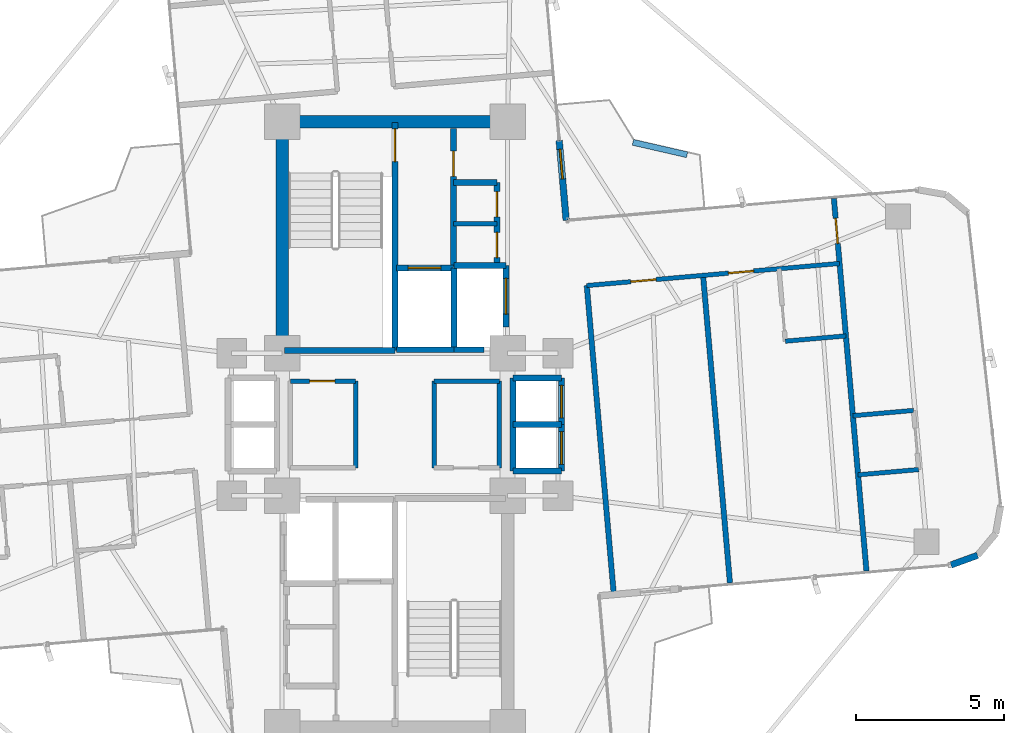
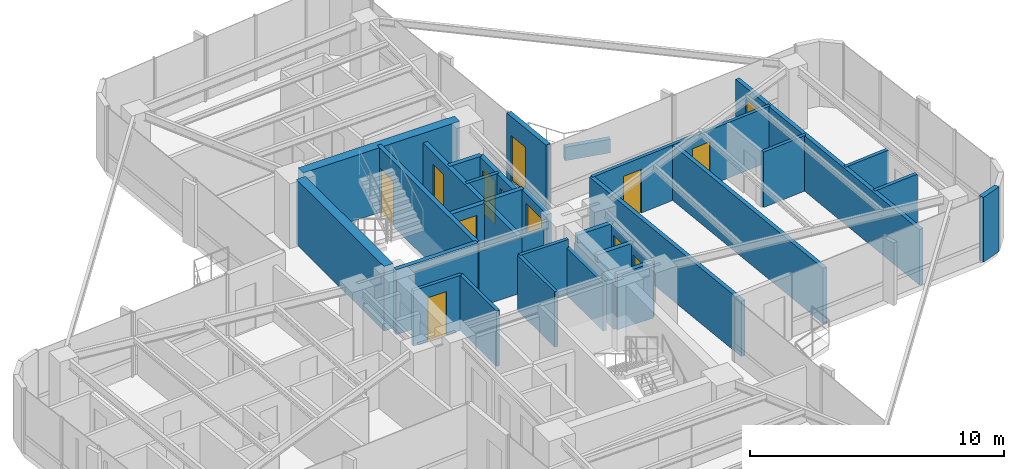
# One storey, part 22 of 24: 35 walls, 13 doors, 13 openings.
"""IFC4 building model written with IfcOpenShell, lengths in metres."""

from ifc_helpers import new_model, si_unit, direction, frame, frame_2d, origin, origin_2d, place, context, subcontext, project, spatial, rectangle, extrude, source, transform, mapped, material, layer, layer_set, type_object, element, fill, save


model = new_model("IFC4")

# Units and contexts
model_context = context("Model", 3, precision=1e-05, world=origin(), true_north=direction((0.0, 1.0)))
body_context = subcontext(model_context, "Body", "Model", "MODEL_VIEW")
ifc_project = project(units=[si_unit("LENGTHUNIT", "METRE"), si_unit("AREAUNIT", "SQUARE_METRE"), si_unit("VOLUMEUNIT", "CUBIC_METRE"), si_unit("PLANEANGLEUNIT", "RADIAN"), si_unit("MASSUNIT", "GRAM", prefix="KILO")], contexts=[model_context])

# Site, building, storey
site_placement = place(None, origin())
site = spatial("IfcSite", under=ifc_project, at=site_placement, CompositionType="ELEMENT")
building_placement = place(site_placement, origin())
building = spatial("IfcBuilding", under=site, at=building_placement, Name="Sahyath Konkavel Grand Hotel", CompositionType="ELEMENT")
storey_placement = place(building_placement, frame((0.0, 0.0, 153.949951171875)))
storey = spatial("IfcBuildingStorey", under=building, at=storey_placement, Name="L42", CompositionType="ELEMENT", Elevation=153.949951171875)

# Walls
ifc_material_1 = material(Name="Concrete C50/60", Category="concrete")
ifc_layer_1 = layer(ifc_material_1, 0.419921875)
ifc_layer_set_1 = layer_set([ifc_layer_1], Name="Concrete C50/60")
wall_type_1 = type_object("IfcWallType", Name="CWALL-420", PredefinedType="SHEAR", material=ifc_layer_set_1)
wall_1_placement = place(storey_placement, frame((-3.550048828125, 10.199951171875, 0.0), z_axis=(0.0, 0.0, 1.0), x_axis=(1.0, 0.0, 0.0)))
element("IfcWall", 1, at=wall_1_placement, inside=storey, type_object=wall_type_1, Name="L42 North Core Shear Wall N", PredefinedType="SHEAR", context=body_context, shape_type="SweptSolid", body=[
    extrude(rectangle(XDim=7.10009765625, YDim=0.419921875, at=frame_2d((3.550048828125, 0.0))), origin(), (0.0, 0.0, 1.0), 3.110107421875),
])
wall_2_placement = place(storey_placement, frame((-3.800048828125, 2.85009765625, 0.0), z_axis=(0.0, 0.0, 1.0), x_axis=(0.0, 1.0, 0.0)))
element("IfcWall", 2, at=wall_2_placement, inside=storey, type_object=wall_type_1, Name="L42 North Core Shear Wall W", PredefinedType="SHEAR", context=body_context, shape_type="SweptSolid", body=[
    extrude(rectangle(XDim=6.89990234375, YDim=0.419921875, at=frame_2d((3.449951171875, 0.0))), origin(), (0.0, 0.0, 1.0), 3.110107421875),
])
ifc_material_2 = material(Name="Warm Buff Sandstone Insulated Concrete C40/50", Category="masonry")
ifc_layer_2 = layer(ifc_material_2, 0.219970703125)
ifc_layer_set_2 = layer_set([ifc_layer_2], Name="Warm Buff Sandstone Insulated Concrete C40/50")
wall_type_2 = type_object("IfcWallType", Name="WLL-BALC-THRESH", PredefinedType="STANDARD", material=ifc_layer_set_2)
wall_3_placement = place(storey_placement, frame((18.73388671875, -4.735107421875, 0.0), z_axis=(0.0, 0.0, 1.0), x_axis=(0.939741306239, 0.34188635151, 0.0)))
element("IfcWall", 3, at=wall_3_placement, inside=storey, type_object=wall_type_2, Name="L42 Rounded Corner Sandstone Pier 1", PredefinedType="STANDARD", context=body_context, shape_type="SweptSolid", body=[
    extrude(rectangle(XDim=0.95751953125, YDim=0.219970703125, at=frame_2d((0.478759765625, 0.0))), origin(), (0.0, 0.0, 1.0), 3.110107421875),
])

# Wall, opening, door
wall_4_placement = place(storey_placement, frame((5.7724609375, 6.87939453125, 0.0), z_axis=(0.0, 0.0, 1.0), x_axis=(-0.087168071984, 0.996193619346, 0.0)))
wall_4 = element("IfcWall", 4, at=wall_4_placement, inside=storey, type_object=wall_type_2, Name="L42 Winter-Garden Threshold Wall 8", PredefinedType="STANDARD", context=body_context, shape_type="SweptSolid", body=[
    extrude(rectangle(XDim=2.699951171875, YDim=0.219970703125, at=frame_2d((1.35009765625, 0.0))), origin(), (0.0, 0.0, 1.0), 3.110107421875),
])
opening_1_placement = place(wall_4_placement, frame((1.39990234375, 0.0, 0.0)))
opening_1 = element("IfcOpeningElement", 5, at=opening_1_placement, cuts=wall_4, Name="Opening D-TR1", PredefinedType="OPENING", context=body_context, shape_type="SweptSolid", body=[
    extrude(rectangle(XDim=1.0, YDim=2.199951171875, at=frame_2d((0.5, 1.10009765625))), frame((0.0, 0.1201171875, 0.0), z_axis=(0.0, -1.0, 0.0), x_axis=(1.0, 0.0, 0.0)), (0.0, 0.0, 1.0), 0.239990234375),
])
ifc_material_3 = material(Name="Anodised Bronze Aluminium & Low-E Glazing", Category="aluminium")
door_type_1 = type_object("IfcDoorType", Name="DR-TERRACE-1000", OperationType="NOTDEFINED", PredefinedType="DOOR", material=ifc_material_3)
shared_shape_1 = source(origin(), body_context, "Body", "SweptSolid", [
    extrude(rectangle(XDim=1.0, YDim=0.050048828125, at=origin_2d()), origin(), (0.0, 0.0, 1.0), 2.199951171875),
])
door_1_placement = place(opening_1_placement, frame((0.5, 0.0, 0.0)))
door_1 = element("IfcDoor", 6, at=door_1_placement, inside=storey, type_object=door_type_1, Name="L42 Winter-Garden Terrace Door 8", OperationType="SINGLE_SWING_LEFT", OverallHeight=2.199951171875, OverallWidth=1.0, PredefinedType="DOOR", context=body_context, shape_type="MappedRepresentation", body=[
    mapped(shared_shape_1, transform((0.0, 0.0, 0.0), scale=1.0)),
])
fill(opening_1, door_1)

ifc_material_4 = material(Name="Concrete C40/50", Category="concrete")
ifc_layer_3 = layer(ifc_material_4, 0.199951171875)
ifc_layer_set_3 = layer_set([ifc_layer_3], Name="Concrete C40/50")
wall_type_3 = type_object("IfcWallType", Name="WLL-CORE-200", PredefinedType="SOLIDWALL", material=ifc_layer_set_3)
wall_5_placement = place(storey_placement, frame((0.0, 2.5, 0.0), z_axis=(0.0, 0.0, 1.0), x_axis=(0.0, 1.0, 0.0)))
wall_5 = element("IfcWall", 7, at=wall_5_placement, inside=storey, type_object=wall_type_3, Name="L42 Stair ST-1 Shaft Wall E", PredefinedType="SOLIDWALL", context=body_context, shape_type="SweptSolid", body=[
    extrude(rectangle(XDim=7.679931640625, YDim=0.199951171875, at=frame_2d((3.83984375, 0.0))), origin(), (0.0, 0.0, 1.0), 3.110107421875),
])
opening_2_placement = place(wall_5_placement, frame((6.360107421875, 0.0, 0.0)))
opening_2 = element("IfcOpeningElement", 8, at=opening_2_placement, cuts=wall_5, Name="Opening D-F12B", PredefinedType="OPENING", context=body_context, shape_type="SweptSolid", body=[
    extrude(rectangle(XDim=1.10009765625, YDim=2.14990234375, at=frame_2d((0.550048828125, 1.074951171875))), frame((0.0, 0.10986328125, 0.0), z_axis=(0.0, -1.0, 0.0), x_axis=(1.0, 0.0, 0.0)), (0.0, 0.0, 1.0), 0.219970703125),
])
ifc_material_5 = material(Name="Steel E350 Smokeproof Fire Door", Category="steel")
door_type_2 = type_object("IfcDoorType", Name="DR-FD120-1100", OperationType="NOTDEFINED", PredefinedType="DOOR", material=ifc_material_5)
shared_shape_2 = source(origin(), body_context, "Body", "SweptSolid", [
    extrude(rectangle(XDim=1.10009765625, YDim=0.050048828125, at=origin_2d()), origin(), (0.0, 0.0, 1.0), 2.14990234375),
])
door_2_placement = place(opening_2_placement, frame((0.550048828125, 0.0, 0.0)))
door_2 = element("IfcDoor", 9, at=door_2_placement, inside=storey, type_object=door_type_2, Name="L42 Stair ST-1 Fire Door", OperationType="SINGLE_SWING_RIGHT", OverallHeight=2.14990234375, OverallWidth=1.10009765625, PredefinedType="DOOR", context=body_context, shape_type="MappedRepresentation", body=[
    mapped(shared_shape_2, transform((0.0, 0.0, 0.0), scale=1.0)),
])
fill(opening_2, door_2)

# Wall
wall_6_placement = place(storey_placement, frame((-3.719970703125, 2.5, 0.0), z_axis=(0.0, 0.0, 1.0), x_axis=(1.0, 0.0, 0.0)))
element("IfcWall", 10, at=wall_6_placement, inside=storey, type_object=wall_type_3, Name="L42 Stair ST-1 Shaft Wall S", PredefinedType="SOLIDWALL", context=body_context, shape_type="SweptSolid", body=[
    extrude(rectangle(XDim=3.719970703125, YDim=0.199951171875, at=frame_2d((1.85986328125, 0.0))), origin(), (0.0, 0.0, 1.0), 3.110107421875),
])

# Wall, opening, door
wall_7_placement = place(storey_placement, frame((1.97998046875, 5.320068359375, 0.0), z_axis=(0.0, 0.0, 1.0), x_axis=(0.0, 1.0, 0.0)))
wall_7 = element("IfcWall", 11, at=wall_7_placement, inside=storey, type_object=wall_type_3, Name="L42 North Firefighting Lobby Wall E", PredefinedType="SOLIDWALL", context=body_context, shape_type="SweptSolid", body=[
    extrude(rectangle(XDim=4.659912109375, YDim=0.199951171875, at=frame_2d((2.330078125, 0.0))), origin(), (0.0, 0.0, 1.0), 2.66015625),
])
opening_3_placement = place(wall_7_placement, frame((3.0400390625, 0.0, 0.0)))
opening_3 = element("IfcOpeningElement", 12, at=opening_3_placement, cuts=wall_7, Name="Opening D-F12D", PredefinedType="OPENING", context=body_context, shape_type="SweptSolid", body=[
    extrude(rectangle(XDim=0.85009765625, YDim=2.10009765625, at=frame_2d((0.425048828125, 1.050048828125))), frame((0.0, 0.10986328125, 0.0), z_axis=(0.0, -1.0, 0.0), x_axis=(1.0, 0.0, 0.0)), (0.0, 0.0, 1.0), 0.219970703125),
])
ifc_material_6 = material(Name="Steel E350 Core Fire Door", Category="steel")
door_type_3 = type_object("IfcDoorType", Name="DR-FD120-850", OperationType="NOTDEFINED", PredefinedType="DOOR", material=ifc_material_6)
shared_shape_3 = source(origin(), body_context, "Body", "SweptSolid", [
    extrude(rectangle(XDim=0.85009765625, YDim=0.050048828125, at=origin_2d()), origin(), (0.0, 0.0, 1.0), 2.10009765625),
])
door_3_placement = place(opening_3_placement, frame((0.425048828125, 0.0, 0.0)))
door_3 = element("IfcDoor", 13, at=door_3_placement, inside=storey, type_object=door_type_3, Name="L42 North Firefighting Lobby Door", OperationType="SINGLE_SWING_RIGHT", OverallHeight=2.10009765625, OverallWidth=0.85009765625, PredefinedType="DOOR", context=body_context, shape_type="MappedRepresentation", body=[
    mapped(shared_shape_3, transform((0.0, 0.0, 0.0), scale=1.0)),
])
fill(opening_3, door_3)

# Walls
wall_8_placement = place(storey_placement, frame((2.0, 2.5, 0.0), z_axis=(0.0, 0.0, 1.0), x_axis=(0.0, 1.0, 0.0)))
element("IfcWall", 14, at=wall_8_placement, inside=storey, type_object=wall_type_3, Name="L42 Partition SH-FFL1-E", PredefinedType="SOLIDWALL", context=body_context, shape_type="SweptSolid", body=[
    extrude(rectangle(XDim=2.780029296875, YDim=0.199951171875, at=frame_2d((1.39013671875, 0.0))), origin(), (0.0, 0.0, 1.0), 2.66015625),
])
wall_9_placement = place(storey_placement, frame((0.050048828125, 2.52001953125, 0.0), z_axis=(0.0, 0.0, 1.0), x_axis=(1.0, 0.0, 0.0)))
element("IfcWall", 15, at=wall_9_placement, inside=storey, type_object=wall_type_3, Name="L42 Partition SH-FFL1-S", PredefinedType="SOLIDWALL", context=body_context, shape_type="SweptSolid", body=[
    extrude(rectangle(XDim=1.949951171875, YDim=0.199951171875, at=frame_2d((0.97509765625, 0.0))), origin(), (0.0, 0.0, 1.0), 2.66015625),
])

# Wall, opening, door
wall_10_placement = place(storey_placement, frame((0.050048828125, 5.280029296875, 0.0), z_axis=(0.0, 0.0, 1.0), x_axis=(1.0, 0.0, 0.0)))
wall_10 = element("IfcWall", 16, at=wall_10_placement, inside=storey, type_object=wall_type_3, Name="L42 Partition SH-FFL1-N", PredefinedType="SOLIDWALL", context=body_context, shape_type="SweptSolid", body=[
    extrude(rectangle(XDim=1.929931640625, YDim=0.199951171875, at=frame_2d((0.96484375, 0.0))), origin(), (0.0, 0.0, 1.0), 2.66015625),
])
opening_4_placement = place(wall_10_placement, frame((0.39990234375, 0.0, 0.0)))
opening_4 = element("IfcOpeningElement", 17, at=opening_4_placement, cuts=wall_10, Name="Opening LD-11", PredefinedType="OPENING", context=body_context, shape_type="SweptSolid", body=[
    extrude(rectangle(XDim=1.10009765625, YDim=2.199951171875, at=frame_2d((0.550048828125, 1.10009765625))), frame((0.0, 0.10986328125, 0.0), z_axis=(0.0, -1.0, 0.0), x_axis=(1.0, 0.0, 0.0)), (0.0, 0.0, 1.0), 0.219970703125),
])
ifc_material_7 = material(Name="Bronze Lift Landing Door 1100")
door_type_4 = type_object("IfcDoorType", Name="DR-LIFT-1100", OperationType="DOUBLE_DOOR_SLIDING", PredefinedType="DOOR", material=ifc_material_7)
shared_shape_4 = source(origin(), body_context, "Body", "SweptSolid", [
    extrude(rectangle(XDim=1.10009765625, YDim=0.050048828125, at=origin_2d()), origin(), (0.0, 0.0, 1.0), 2.199951171875),
])
door_4_placement = place(opening_4_placement, frame((0.550048828125, 0.0, 0.0)))
door_4 = element("IfcDoor", 18, at=door_4_placement, inside=storey, type_object=door_type_4, Name="L42 Lift FFL-1 Landing Door", OperationType="DOUBLE_DOOR_SLIDING", OverallHeight=2.199951171875, OverallWidth=1.10009765625, PredefinedType="DOOR", context=body_context, shape_type="MappedRepresentation", body=[
    mapped(shared_shape_4, transform((0.0, 0.0, 0.0), scale=1.0)),
])
fill(opening_4, door_4)

# Walls
wall_11_placement = place(storey_placement, frame((2.0, 2.52001953125, 0.0), z_axis=(0.0, 0.0, 1.0), x_axis=(1.0, 0.0, 0.0)))
element("IfcWall", 19, at=wall_11_placement, inside=storey, type_object=wall_type_3, Name="L42 Partition SH-SVL1-S", PredefinedType="SOLIDWALL", context=body_context, shape_type="SweptSolid", body=[
    extrude(rectangle(XDim=1.0, YDim=0.199951171875, at=frame_2d((0.5, 0.0))), origin(), (0.0, 0.0, 1.0), 2.66015625),
])
wall_12_placement = place(storey_placement, frame((2.0, 5.360107421875, 0.0), z_axis=(0.0, 0.0, 1.0), x_axis=(1.0, 0.0, 0.0)))
element("IfcWall", 20, at=wall_12_placement, inside=storey, type_object=wall_type_3, Name="L42 Partition SH-SVL1-N", PredefinedType="SOLIDWALL", context=body_context, shape_type="SweptSolid", body=[
    extrude(rectangle(XDim=1.739990234375, YDim=0.199951171875, at=frame_2d((0.8701171875, 0.0))), origin(), (0.0, 0.0, 1.0), 2.66015625),
])

# Wall, opening, door
wall_13_placement = place(storey_placement, frame((3.739990234375, 3.280029296875, 0.0), z_axis=(0.0, 0.0, 1.0), x_axis=(0.0, 1.0, 0.0)))
wall_13 = element("IfcWall", 21, at=wall_13_placement, inside=storey, type_object=wall_type_3, Name="L42 Partition SH-SVL1-E", PredefinedType="SOLIDWALL", context=body_context, shape_type="SweptSolid", body=[
    extrude(rectangle(XDim=2.080078125, YDim=0.199951171875, at=frame_2d((1.0400390625, 0.0))), origin(), (0.0, 0.0, 1.0), 2.66015625),
])
opening_5_placement = place(wall_13_placement, frame((0.43994140625, 0.0, 0.0)))
opening_5 = element("IfcOpeningElement", 22, at=opening_5_placement, cuts=wall_13, Name="Opening LD-12", PredefinedType="OPENING", context=body_context, shape_type="SweptSolid", body=[
    extrude(rectangle(XDim=1.199951171875, YDim=2.199951171875, at=frame_2d((0.60009765625, 1.10009765625))), frame((0.0, 0.10986328125, 0.0), z_axis=(0.0, -1.0, 0.0), x_axis=(1.0, 0.0, 0.0)), (0.0, 0.0, 1.0), 0.219970703125),
])
ifc_material_8 = material(Name="Stainless Steel Lift Landing Door 1200", Category="steel")
door_type_5 = type_object("IfcDoorType", Name="DR-LIFT-1200", OperationType="DOUBLE_DOOR_SLIDING", PredefinedType="DOOR", material=ifc_material_8)
shared_shape_5 = source(origin(), body_context, "Body", "SweptSolid", [
    extrude(rectangle(XDim=1.199951171875, YDim=0.050048828125, at=origin_2d()), origin(), (0.0, 0.0, 1.0), 2.199951171875),
])
door_5_placement = place(opening_5_placement, frame((0.60009765625, 0.0, 0.0)))
door_5 = element("IfcDoor", 23, at=door_5_placement, inside=storey, type_object=door_type_5, Name="L42 Service Lift SVL-1 Landing Door", OperationType="DOUBLE_DOOR_SLIDING", OverallHeight=2.199951171875, OverallWidth=1.199951171875, PredefinedType="DOOR", context=body_context, shape_type="MappedRepresentation", body=[
    mapped(shared_shape_5, transform((0.0, 0.0, 0.0), scale=1.0)),
])
fill(opening_5, door_5)

# Walls
wall_14_placement = place(storey_placement, frame((3.97998046875, -1.56005859375, 0.0), z_axis=(0.0, 0.0, 1.0), x_axis=(0.0, 1.0, 0.0)))
element("IfcWall", 24, at=wall_14_placement, inside=storey, type_object=wall_type_3, Name="L42 Partition SH-PL56-W", PredefinedType="SOLIDWALL", context=body_context, shape_type="SweptSolid", body=[
    extrude(rectangle(XDim=3.1201171875, YDim=0.199951171875, at=frame_2d((1.56005859375, 0.0))), origin(), (0.0, 0.0, 1.0), 2.280029296875),
])
for number, where, z_axis, x_axis, name in (
    (25, (3.97998046875, 1.56005859375, 0.0), (0.0, 0.0, 1.0), (1.0, 0.0, 0.0), "L42 Partition SH-PL56-N"),
    (26, (3.97998046875, -1.56005859375, 0.0), (0.0, 0.0, 1.0), (1.0, 0.0, 0.0), "L42 Partition SH-PL56-S"),
    (27, (3.97998046875, 0.0, 0.0), (0.0, 0.0, 1.0), (1.0, 0.0, 0.0), "L42 Partition SH-PL56-M"),
):
    element("IfcWall", number, at=place(storey_placement, frame(where, z_axis=z_axis, x_axis=x_axis)), inside=storey, type_object=wall_type_3, Name=name, PredefinedType="SOLIDWALL", context=body_context, shape_type="SweptSolid", body=[
        extrude(rectangle(XDim=1.64013671875, YDim=0.199951171875, at=frame_2d((0.820068359375, 0.0))), origin(), (0.0, 0.0, 1.0), 2.66015625),
    ])

# Wall, opening, door
wall_15_placement = place(storey_placement, frame((5.6201171875, 0.0, 0.0), z_axis=(0.0, 0.0, 1.0), x_axis=(0.0, 1.0, 0.0)))
wall_15 = element("IfcWall", 28, at=wall_15_placement, inside=storey, type_object=wall_type_3, Name="L42 Partition SH-PL5-E", PredefinedType="SOLIDWALL", context=body_context, shape_type="SweptSolid", body=[
    extrude(rectangle(XDim=1.56005859375, YDim=0.199951171875, at=frame_2d((0.780029296875, 0.0))), origin(), (0.0, 0.0, 1.0), 2.66015625),
])
opening_6_placement = place(wall_15_placement, frame((0.219970703125, 0.0, 0.0)))
opening_6 = element("IfcOpeningElement", 29, at=opening_6_placement, cuts=wall_15, Name="Opening LD-11", PredefinedType="OPENING", context=body_context, shape_type="SweptSolid", body=[
    extrude(rectangle(XDim=1.10009765625, YDim=2.199951171875, at=frame_2d((0.550048828125, 1.10009765625))), frame((0.0, 0.10986328125, 0.0), z_axis=(0.0, -1.0, 0.0), x_axis=(1.0, 0.0, 0.0)), (0.0, 0.0, 1.0), 0.219970703125),
])
door_6_placement = place(opening_6_placement, frame((0.550048828125, 0.0, 0.0)))
door_6 = element("IfcDoor", 30, at=door_6_placement, inside=storey, type_object=door_type_4, Name="L42 High-Rise Lift PL-5 Landing Door", OperationType="DOUBLE_DOOR_SLIDING", OverallHeight=2.199951171875, OverallWidth=1.10009765625, PredefinedType="DOOR", context=body_context, shape_type="MappedRepresentation", body=[
    mapped(shared_shape_4, transform((0.0, 0.0, 0.0), scale=1.0)),
])
fill(opening_6, door_6)

wall_16_placement = place(storey_placement, frame((5.6201171875, -1.56005859375, 0.0), z_axis=(0.0, 0.0, 1.0), x_axis=(0.0, 1.0, 0.0)))
wall_16 = element("IfcWall", 31, at=wall_16_placement, inside=storey, type_object=wall_type_3, Name="L42 Partition SH-PL6-E", PredefinedType="SOLIDWALL", context=body_context, shape_type="SweptSolid", body=[
    extrude(rectangle(XDim=1.56005859375, YDim=0.199951171875, at=frame_2d((0.780029296875, 0.0))), origin(), (0.0, 0.0, 1.0), 2.66015625),
])
opening_7_placement = place(wall_16_placement, frame((0.219970703125, 0.0, 0.0)))
opening_7 = element("IfcOpeningElement", 32, at=opening_7_placement, cuts=wall_16, Name="Opening LD-11", PredefinedType="OPENING", context=body_context, shape_type="SweptSolid", body=[
    extrude(rectangle(XDim=1.10009765625, YDim=2.199951171875, at=frame_2d((0.550048828125, 1.10009765625))), frame((0.0, 0.10986328125, 0.0), z_axis=(0.0, -1.0, 0.0), x_axis=(1.0, 0.0, 0.0)), (0.0, 0.0, 1.0), 0.219970703125),
])
door_7_placement = place(opening_7_placement, frame((0.550048828125, 0.0, 0.0)))
door_7 = element("IfcDoor", 33, at=door_7_placement, inside=storey, type_object=door_type_4, Name="L42 High-Rise Lift PL-6 Landing Door", OperationType="DOUBLE_DOOR_SLIDING", OverallHeight=2.199951171875, OverallWidth=1.10009765625, PredefinedType="DOOR", context=body_context, shape_type="MappedRepresentation", body=[
    mapped(shared_shape_4, transform((0.0, 0.0, 0.0), scale=1.0)),
])
fill(opening_7, door_7)

# Wall, openings, doors
wall_17_placement = place(storey_placement, frame((3.43994140625, 5.3798828125, 0.0), z_axis=(0.0, 0.0, 1.0), x_axis=(0.0, 1.0, 0.0)))
wall_17 = element("IfcWall", 34, at=wall_17_placement, inside=storey, type_object=wall_type_3, Name="L42 Reclaimed North Core Wall E", PredefinedType="SOLIDWALL", context=body_context, shape_type="SweptSolid", body=[
    extrude(rectangle(XDim=2.77001953125, YDim=0.199951171875, at=frame_2d((1.385009765625, 0.0))), origin(), (0.0, 0.0, 1.0), 2.66015625),
])
opening_8_placement = place(wall_17_placement, frame((0.239990234375, 0.0, 0.0)))
opening_8 = element("IfcOpeningElement", 35, at=opening_8_placement, cuts=wall_17, Name="Opening D-F06D", PredefinedType="OPENING", context=body_context, shape_type="SweptSolid", body=[
    extrude(rectangle(XDim=0.85009765625, YDim=2.10009765625, at=frame_2d((0.425048828125, 1.050048828125))), frame((0.0, 0.10986328125, 0.0), z_axis=(0.0, -1.0, 0.0), x_axis=(1.0, 0.0, 0.0)), (0.0, 0.0, 1.0), 0.219970703125),
])
opening_9_placement = place(wall_17_placement, frame((1.6201171875, 0.0, 0.0)))
opening_9 = element("IfcOpeningElement", 36, at=opening_9_placement, cuts=wall_17, Name="Opening D-F06D", PredefinedType="OPENING", context=body_context, shape_type="SweptSolid", body=[
    extrude(rectangle(XDim=0.85009765625, YDim=2.10009765625, at=frame_2d((0.425048828125, 1.050048828125))), frame((0.0, 0.10986328125, 0.0), z_axis=(0.0, -1.0, 0.0), x_axis=(1.0, 0.0, 0.0)), (0.0, 0.0, 1.0), 0.219970703125),
])
ifc_material_9 = material(Name="Fire-Rated Shaft Access Door")
door_type_6 = type_object("IfcDoorType", Name="DR-FD60-850", OperationType="NOTDEFINED", PredefinedType="DOOR", material=ifc_material_9)
door_8_placement = place(opening_8_placement, frame((0.425048828125, 0.0, 0.0)))
door_8 = element("IfcDoor", 37, at=door_8_placement, inside=storey, type_object=door_type_6, Name="L42 Door NC-REC1-D", OperationType="SINGLE_SWING_RIGHT", OverallHeight=2.10009765625, OverallWidth=0.85009765625, PredefinedType="DOOR", context=body_context, shape_type="MappedRepresentation", body=[
    mapped(shared_shape_3, transform((0.0, 0.0, 0.0), scale=1.0)),
])
fill(opening_8, door_8)
door_9_placement = place(opening_9_placement, frame((0.425048828125, 0.0, 0.0)))
door_9 = element("IfcDoor", 38, at=door_9_placement, inside=storey, type_object=door_type_6, Name="L42 Door NC-REC2-D", OperationType="SINGLE_SWING_LEFT", OverallHeight=2.10009765625, OverallWidth=0.85009765625, PredefinedType="DOOR", context=body_context, shape_type="MappedRepresentation", body=[
    mapped(shared_shape_3, transform((0.0, 0.0, 0.0), scale=1.0)),
])
fill(opening_9, door_9)

# Walls
wall_18_placement = place(storey_placement, frame((1.97998046875, 8.14990234375, 0.0), z_axis=(0.0, 0.0, 1.0), x_axis=(1.0, 0.0, 0.0)))
element("IfcWall", 39, at=wall_18_placement, inside=storey, type_object=wall_type_3, Name="L42 Partition NC-REC-N", PredefinedType="SOLIDWALL", context=body_context, shape_type="SweptSolid", body=[
    extrude(rectangle(XDim=1.4599609375, YDim=0.199951171875, at=frame_2d((0.72998046875, 0.0))), origin(), (0.0, 0.0, 1.0), 2.66015625),
])
ifc_material_10 = material(Name="Twin-Stud Acoustic Gypsum Plasterboard Partition")
ifc_layer_4 = layer(ifc_material_10, 0.179931640625)
ifc_layer_set_4 = layer_set([ifc_layer_4], Name="Twin-Stud Acoustic Gypsum Plasterboard Partition")
wall_type_4 = type_object("IfcWallType", Name="WLL-DEMISE-180", PredefinedType="PARTITIONING", material=ifc_layer_set_4)
for number, where, z_axis, x_axis, name in (
    (40, (7.373046875, -5.678955078125, 0.0), (0.0, 0.0, 1.0), (-0.087163455754, 0.996194023261, 0.0), "L42 Partition E-G5I"),
    (41, (10.384521484375, 5.024169921875, 0.0), (0.0, 0.0, 1.0), (0.087163455754, -0.996194023261, 0.0), "L42 Partition E-ED1-DEM"),
):
    element("IfcWall", number, at=place(storey_placement, frame(where, z_axis=z_axis, x_axis=x_axis)), inside=storey, type_object=wall_type_4, Name=name, PredefinedType="PARTITIONING", context=body_context, shape_type="SweptSolid", body=[
        extrude(rectangle(XDim=10.39990234375, YDim=0.179931640625, at=frame_2d((5.199951171875, 0.0))), origin(), (0.0, 0.0, 1.0), 2.66015625),
    ])

# Wall, opening, door
wall_19_placement = place(storey_placement, frame((15.890380859375, -4.933837890625, 0.0), z_axis=(0.0, 0.0, 1.0), x_axis=(-0.087154691724, 0.996194790044, 0.0)))
wall_19 = element("IfcWall", 42, at=wall_19_placement, inside=storey, type_object=wall_type_4, Name="L42 Partition E-ETIP-END", PredefinedType="PARTITIONING", context=body_context, shape_type="SweptSolid", body=[
    extrude(rectangle(XDim=12.599853515625, YDim=0.179931640625, at=frame_2d((6.2998046875, 0.0))), origin(), (0.0, 0.0, 1.0), 2.66015625),
])
opening_10_placement = place(wall_19_placement, frame((11.074951171875, 0.0, 0.0)))
opening_10 = element("IfcOpeningElement", 43, at=opening_10_placement, cuts=wall_19, Name="Opening D-F06D", PredefinedType="OPENING", context=body_context, shape_type="SweptSolid", body=[
    extrude(rectangle(XDim=0.85009765625, YDim=2.10009765625, at=frame_2d((0.425048828125, 1.050048828125))), frame((0.0, 0.10009765625, 0.0), z_axis=(0.0, -1.0, 0.0), x_axis=(1.0, 0.0, 0.0)), (0.0, 0.0, 1.0), 0.199951171875),
])
door_10_placement = place(opening_10_placement, frame((0.425048828125, 0.0, 0.0)))
door_10 = element("IfcDoor", 44, at=door_10_placement, inside=storey, type_object=door_type_6, Name="L42 Door E-ETIP-ED", OperationType="SINGLE_SWING_RIGHT", OverallHeight=2.10009765625, OverallWidth=0.85009765625, PredefinedType="DOOR", context=body_context, shape_type="MappedRepresentation", body=[
    mapped(shared_shape_3, transform((0.0, 0.0, 0.0), scale=1.0)),
])
fill(opening_10, door_10)

# Walls
ifc_material_11 = material(Name="Fire-Rated Gypsum Plasterboard Partition")
ifc_layer_5 = layer(ifc_material_11, 0.14990234375)
ifc_layer_set_5 = layer_set([ifc_layer_5], Name="Fire-Rated Gypsum Plasterboard Partition")
wall_type_5 = type_object("IfcWallType", Name="WLL-PART-150", PredefinedType="PARTITIONING", material=ifc_layer_set_5)
wall_20_placement = place(storey_placement, frame((1.97998046875, 6.77001953125, 0.0), z_axis=(0.0, 0.0, 1.0), x_axis=(1.0, 0.0, 0.0)))
element("IfcWall", 45, at=wall_20_placement, inside=storey, type_object=wall_type_5, Name="L42 Partition NC-REC-M1", PredefinedType="PARTITIONING", context=body_context, shape_type="SweptSolid", body=[
    extrude(rectangle(XDim=1.4599609375, YDim=0.14990234375, at=frame_2d((0.72998046875, 0.0))), origin(), (0.0, 0.0, 1.0), 2.66015625),
])
wall_21_placement = place(storey_placement, frame((-1.320068359375, -1.4599609375, 0.0), z_axis=(0.0, 0.0, 1.0), x_axis=(0.0, 1.0, 0.0)))
element("IfcWall", 46, at=wall_21_placement, inside=storey, type_object=wall_type_5, Name="L42 Partition CC-1WI", PredefinedType="PARTITIONING", context=body_context, shape_type="SweptSolid", body=[
    extrude(rectangle(XDim=2.919921875, YDim=0.14990234375, at=frame_2d((1.4599609375, 0.0))), origin(), (0.0, 0.0, 1.0), 2.66015625),
])

# Wall, opening, door
wall_22_placement = place(storey_placement, frame((-3.52001953125, 1.4599609375, 0.0), z_axis=(0.0, 0.0, 1.0), x_axis=(1.0, 0.0, 0.0)))
wall_22 = element("IfcWall", 47, at=wall_22_placement, inside=storey, type_object=wall_type_5, Name="L42 Partition CC-1WN", PredefinedType="PARTITIONING", context=body_context, shape_type="SweptSolid", body=[
    extrude(rectangle(XDim=2.199951171875, YDim=0.14990234375, at=frame_2d((1.10009765625, 0.0))), origin(), (0.0, 0.0, 1.0), 2.66015625),
])
opening_11_placement = place(wall_22_placement, frame((0.64990234375, 0.0, 0.0)))
opening_11 = element("IfcOpeningElement", 48, at=opening_11_placement, cuts=wall_22, Name="Opening D-F06D", PredefinedType="OPENING", context=body_context, shape_type="SweptSolid", body=[
    extrude(rectangle(XDim=0.85009765625, YDim=2.10009765625, at=frame_2d((0.425048828125, 1.050048828125))), frame((0.0, 0.0849609375, 0.0), z_axis=(0.0, -1.0, 0.0), x_axis=(1.0, 0.0, 0.0)), (0.0, 0.0, 1.0), 0.169921875),
])
door_11_placement = place(opening_11_placement, frame((0.425048828125, 0.0, 0.0)))
door_11 = element("IfcDoor", 49, at=door_11_placement, inside=storey, type_object=door_type_6, Name="L42 Door CC-D1W", OperationType="SINGLE_SWING_RIGHT", OverallHeight=2.10009765625, OverallWidth=0.85009765625, PredefinedType="DOOR", context=body_context, shape_type="MappedRepresentation", body=[
    mapped(shared_shape_3, transform((0.0, 0.0, 0.0), scale=1.0)),
])
fill(opening_11, door_11)

# Walls
wall_23_placement = place(storey_placement, frame((1.320068359375, -1.4599609375, 0.0), z_axis=(0.0, 0.0, 1.0), x_axis=(0.0, 1.0, 0.0)))
element("IfcWall", 50, at=wall_23_placement, inside=storey, type_object=wall_type_5, Name="L42 Partition CC-1EI", PredefinedType="PARTITIONING", context=body_context, shape_type="SweptSolid", body=[
    extrude(rectangle(XDim=2.919921875, YDim=0.14990234375, at=frame_2d((1.4599609375, 0.0))), origin(), (0.0, 0.0, 1.0), 2.66015625),
])
wall_24_placement = place(storey_placement, frame((3.52001953125, -1.4599609375, 0.0), z_axis=(0.0, 0.0, 1.0), x_axis=(0.0, 1.0, 0.0)))
element("IfcWall", 51, at=wall_24_placement, inside=storey, type_object=wall_type_5, Name="L42 Partition CC-1EO", PredefinedType="PARTITIONING", context=body_context, shape_type="SweptSolid", body=[
    extrude(rectangle(XDim=2.919921875, YDim=0.14990234375, at=frame_2d((1.4599609375, 0.0))), origin(), (0.0, 0.0, 1.0), 2.280029296875),
])
wall_25_placement = place(storey_placement, frame((1.320068359375, 1.4599609375, 0.0), z_axis=(0.0, 0.0, 1.0), x_axis=(1.0, 0.0, 0.0)))
element("IfcWall", 52, at=wall_25_placement, inside=storey, type_object=wall_type_5, Name="L42 Partition CC-1EN", PredefinedType="PARTITIONING", context=body_context, shape_type="SweptSolid", body=[
    extrude(rectangle(XDim=2.199951171875, YDim=0.14990234375, at=frame_2d((1.10009765625, 0.0))), origin(), (0.0, 0.0, 1.0), 2.66015625),
])

# Wall, openings, doors
wall_26_placement = place(storey_placement, frame((6.466552734375, 4.681396484375, 0.0), z_axis=(0.0, 0.0, 1.0), x_axis=(0.996195452949, 0.087147114263, 0.0)))
wall_26 = element("IfcWall", 53, at=wall_26_placement, inside=storey, type_object=wall_type_5, Name="L42 Partition E-G5W", PredefinedType="PARTITIONING", context=body_context, shape_type="SweptSolid", body=[
    extrude(rectangle(XDim=8.550048828125, YDim=0.14990234375, at=frame_2d((4.27490234375, 0.0))), origin(), (0.0, 0.0, 1.0), 2.66015625),
])
opening_12_placement = place(wall_26_placement, frame((1.490966796875, 0.0, 0.0)))
opening_12 = element("IfcOpeningElement", 54, at=opening_12_placement, cuts=wall_26, Name="Opening D-F06D", PredefinedType="OPENING", context=body_context, shape_type="SweptSolid", body=[
    extrude(rectangle(XDim=0.85009765625, YDim=2.10009765625, at=frame_2d((0.425048828125, 1.050048828125))), frame((0.0, 0.0849609375, 0.0), z_axis=(0.0, -1.0, 0.0), x_axis=(1.0, 0.0, 0.0)), (0.0, 0.0, 1.0), 0.169921875),
])
opening_13_placement = place(wall_26_placement, frame((4.7919921875, 0.0, 0.0)))
opening_13 = element("IfcOpeningElement", 55, at=opening_13_placement, cuts=wall_26, Name="Opening D-F06D", PredefinedType="OPENING", context=body_context, shape_type="SweptSolid", body=[
    extrude(rectangle(XDim=0.85009765625, YDim=2.10009765625, at=frame_2d((0.425048828125, 1.050048828125))), frame((0.0, 0.0849609375, 0.0), z_axis=(0.0, -1.0, 0.0), x_axis=(1.0, 0.0, 0.0)), (0.0, 0.0, 1.0), 0.169921875),
])
door_12_placement = place(opening_12_placement, frame((0.425048828125, 0.0, 0.0)))
door_12 = element("IfcDoor", 56, at=door_12_placement, inside=storey, type_object=door_type_6, Name="L42 Door E-ED1-D", OperationType="SINGLE_SWING_RIGHT", OverallHeight=2.10009765625, OverallWidth=0.85009765625, PredefinedType="DOOR", context=body_context, shape_type="MappedRepresentation", body=[
    mapped(shared_shape_3, transform((0.0, 0.0, 0.0), scale=1.0)),
])
fill(opening_12, door_12)
door_13_placement = place(opening_13_placement, frame((0.425048828125, 0.0, 0.0)))
door_13 = element("IfcDoor", 57, at=door_13_placement, inside=storey, type_object=door_type_6, Name="L42 Door E-ED2-ED", OperationType="SINGLE_SWING_RIGHT", OverallHeight=2.10009765625, OverallWidth=0.85009765625, PredefinedType="DOOR", context=body_context, shape_type="MappedRepresentation", body=[
    mapped(shared_shape_3, transform((0.0, 0.0, 0.0), scale=1.0)),
])
fill(opening_13, door_13)

# Walls
wall_27_placement = place(storey_placement, frame((13.155517578125, 2.807373046875, 0.0), z_axis=(0.0, 0.0, 1.0), x_axis=(0.99620250363, 0.087066478976, 0.0)))
element("IfcWall", 58, at=wall_27_placement, inside=storey, type_object=wall_type_5, Name="L42 Partition E-ED2-BF", PredefinedType="PARTITIONING", context=body_context, shape_type="SweptSolid", body=[
    extrude(rectangle(XDim=2.0498046875, YDim=0.14990234375, at=frame_2d((1.02490234375, 0.0))), origin(), (0.0, 0.0, 1.0), 2.66015625),
])
for number, where, z_axis, x_axis, name in (
    (59, (15.432861328125, 0.296142578125, 0.0), (0.0, 0.0, 1.0), (0.99619307114, 0.087174336889, 0.0), "L42 Partition E-ETIP-BN"),
    (60, (15.607177734375, -1.6962890625, 0.0), (0.0, 0.0, 1.0), (0.99619307114, 0.087174336889, 0.0), "L42 Partition E-ETIP-BS"),
):
    element("IfcWall", number, at=place(storey_placement, frame(where, z_axis=z_axis, x_axis=x_axis)), inside=storey, type_object=wall_type_5, Name=name, PredefinedType="PARTITIONING", context=body_context, shape_type="SweptSolid", body=[
        extrude(rectangle(XDim=2.050048828125, YDim=0.14990234375, at=frame_2d((1.02490234375, 0.0))), origin(), (0.0, 0.0, 1.0), 2.66015625),
    ])
ifc_material_12 = material(Name="Warm Buff Sandstone Planter Wall", Category="masonry")
ifc_layer_6 = layer(ifc_material_12, 0.199951171875)
ifc_layer_set_6 = layer_set([ifc_layer_6], Name="Warm Buff Sandstone Planter Wall")
wall_type_6 = type_object("IfcWallType", Name="WLL-PLANTER-200", PredefinedType="PARAPET", material=ifc_layer_set_6)
wall_28_placement = place(storey_placement, frame((9.8466796875, 9.089111328125, 0.0), z_axis=(0.0, 0.0, 1.0), x_axis=(-0.974708669438, 0.223479327284, 0.0)))
element("IfcWall", 61, at=wall_28_placement, inside=storey, type_object=wall_type_6, Name="L42 Sky-Garden Stone Planter PLANTER NE", PredefinedType="PARAPET", context=body_context, shape_type="SweptSolid", body=[
    extrude(rectangle(XDim=1.87353515625, YDim=0.199951171875, at=frame_2d((0.936767578125, 0.0))), origin(), (0.0, 0.0, 1.0), 0.650146484375),
])

save(model, "model.ifc")
